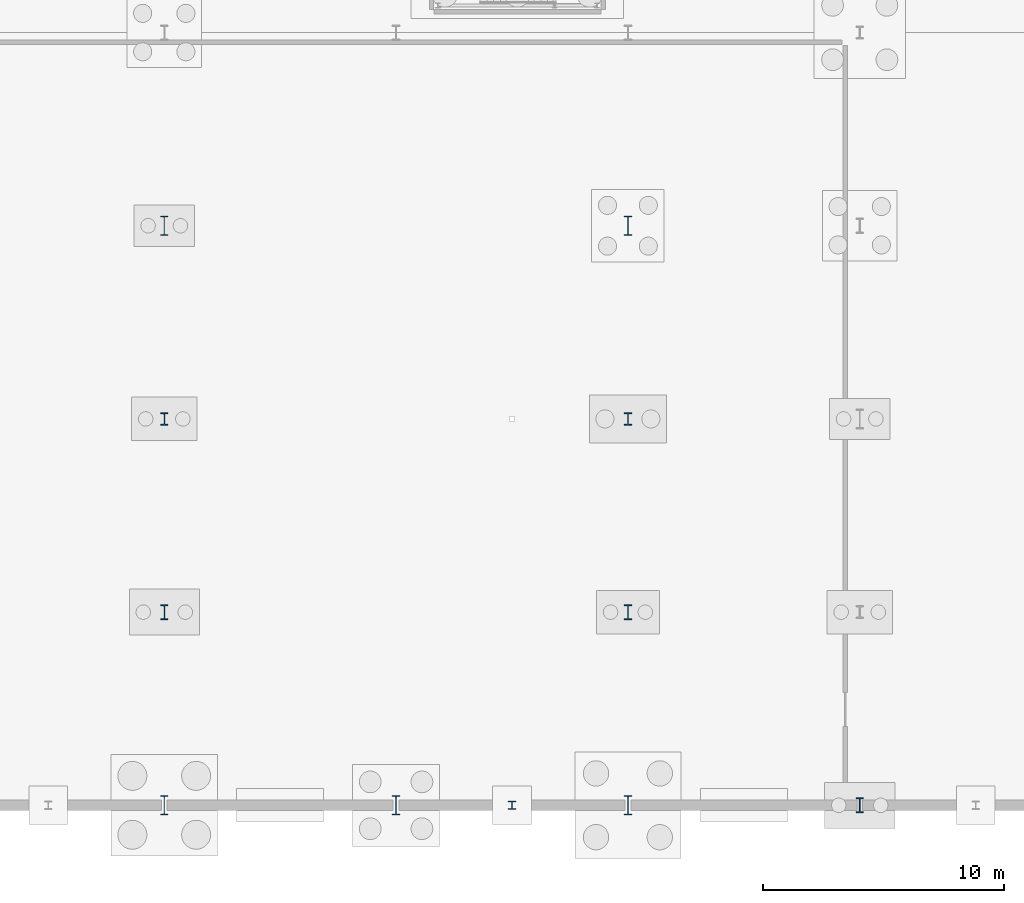
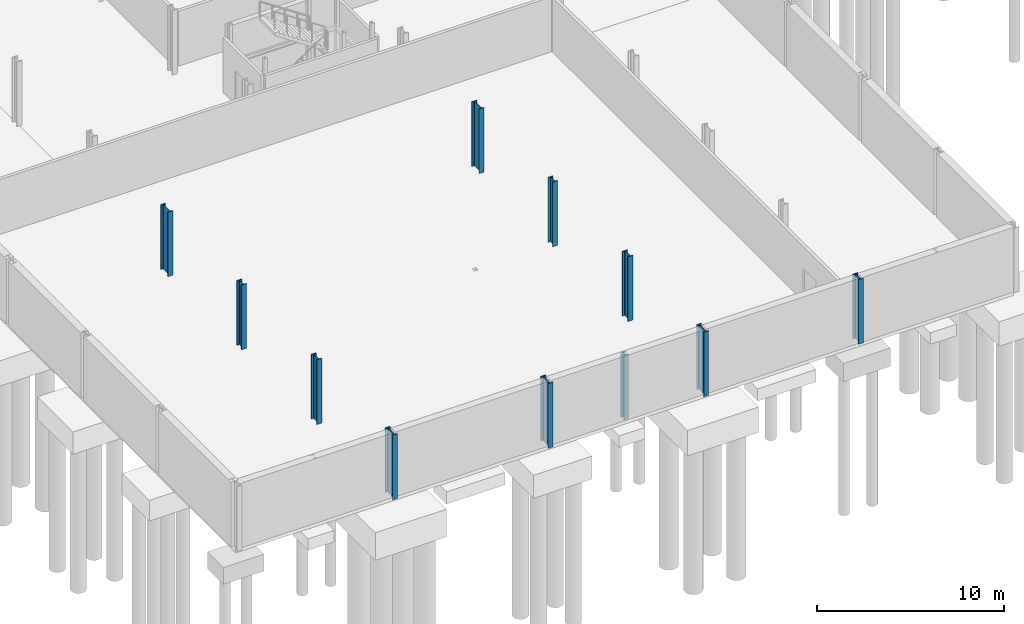
# One storey, part 11 of 47: 11 columns.
"""IFC4 building model written with IfcOpenShell, lengths in metres."""

from ifc_helpers import new_model, si_unit, direction, frame, origin, origin_2d, place, context, subcontext, project, spatial, i_section, extrude, material, material_profile, profile_set, type_object, element, save


model = new_model("IFC4")

# Units and contexts
model_context = context("Model", 3, precision=1e-05, world=origin(), true_north=direction((0.0, 1.0)))
body_context = subcontext(model_context, "Body", "Model", "MODEL_VIEW")
ifc_project = project(units=[si_unit("LENGTHUNIT", "METRE"), si_unit("AREAUNIT", "SQUARE_METRE"), si_unit("VOLUMEUNIT", "CUBIC_METRE"), si_unit("PLANEANGLEUNIT", "RADIAN"), si_unit("MASSUNIT", "GRAM", prefix="KILO")], contexts=[model_context])

# Site, building, storey
site_placement = place(None, origin())
site = spatial("IfcSite", under=ifc_project, at=site_placement, CompositionType="ELEMENT")
building_placement = place(site_placement, origin())
building = spatial("IfcBuilding", under=site, at=building_placement, Name="Alderhovde Museum", CompositionType="ELEMENT")
storey_placement = place(building_placement, frame((0.0, 0.0, -4.5)))
storey = spatial("IfcBuildingStorey", under=building, at=storey_placement, Name="B1", CompositionType="ELEMENT", Elevation=-4.5)

# Columns
ifc_material_1 = material(Name="Steel S355J2", Category="steel")
ifc_material_profile_1 = material_profile(ifc_material_1, i_section(OverallWidth=0.300048828125, OverallDepth=0.800048828125, WebThickness=0.017578125, FlangeThickness=0.032958984375, FilletRadius=0.030029296875, at=origin_2d()), Name="HEB 800")
ifc_profile_set_1 = profile_set([ifc_material_profile_1], Name="Steel S355J2")
column_type_1 = type_object("IfcColumnType", Name="COL-HEB800", PredefinedType="COLUMN", material=ifc_profile_set_1)
for number, where, z_axis, x_axis, name in (
    (1, (76.800048828125, 0.0, 0.0), (0.0, 0.0, 1.0), (1.0, 0.0, 0.0), "B1 Column (76.8, 0.0)"),
    (2, (76.800048828125, 24.0, 0.0), (0.0, 0.0, 1.0), (1.0, 0.0, 0.0), "B1 Column (76.8, 24.0)"),
    (3, (86.39990234375, 0.0, 0.0), (0.0, 0.0, 1.0), (1.0, 0.0, 0.0), "B1 Column (86.4, 0.0)"),
    (4, (96.0, 0.0, 0.0), (0.0, 0.0, 1.0), (1.0, 0.0, 0.0), "B1 Column (96.0, 0.0)"),
    (5, (96.0, 24.0, 0.0), (0.0, 0.0, 1.0), (1.0, 0.0, 0.0), "B1 Column (96.0, 24.0)"),
):
    element("IfcColumn", number, at=place(storey_placement, frame(where, z_axis=z_axis, x_axis=x_axis)), inside=storey, type_object=column_type_1, Name=name, PredefinedType="COLUMN", context=body_context, shape_type="SweptSolid", body=[
        extrude(i_section(OverallWidth=0.300048828125, OverallDepth=0.800048828125, WebThickness=0.017578125, FlangeThickness=0.032958984375, FilletRadius=0.030029296875, at=origin_2d()), origin(), (0.0, 0.0, 1.0), 4.219970703125),
    ])
ifc_material_2 = material(Name="Steel S355J2", Category="steel")
ifc_material_profile_2 = material_profile(ifc_material_2, i_section(OverallWidth=0.305908203125, OverallDepth=0.52392578125, WebThickness=0.02099609375, FlangeThickness=0.0400390625, FilletRadius=0.027099609375, at=origin_2d()), Name="HEM 500")
ifc_profile_set_2 = profile_set([ifc_material_profile_2], Name="Steel S355J2")
column_type_2 = type_object("IfcColumnType", Name="COL-HEM500", PredefinedType="COLUMN", material=ifc_profile_set_2)
for number, where, z_axis, x_axis, name in (
    (6, (76.800048828125, 16.0, 0.0), (0.0, 0.0, 1.0), (1.0, 0.0, 0.0), "B1 Column (76.8, 16.0)"),
    (7, (96.0, 16.0, 0.0), (0.0, 0.0, 1.0), (1.0, 0.0, 0.0), "B1 Column (96.0, 16.0)"),
):
    element("IfcColumn", number, at=place(storey_placement, frame(where, z_axis=z_axis, x_axis=x_axis)), inside=storey, type_object=column_type_2, Name=name, PredefinedType="COLUMN", context=body_context, shape_type="SweptSolid", body=[
        extrude(i_section(OverallWidth=0.305908203125, OverallDepth=0.52392578125, WebThickness=0.02099609375, FlangeThickness=0.0400390625, FilletRadius=0.027099609375, at=origin_2d()), origin(), (0.0, 0.0, 1.0), 4.219970703125),
    ])
ifc_material_3 = material(Name="Steel S355J2", Category="steel")
ifc_material_profile_3 = material_profile(ifc_material_3, i_section(OverallWidth=0.304931640625, OverallDepth=0.6201171875, WebThickness=0.02099609375, FlangeThickness=0.0400390625, FilletRadius=0.027099609375, at=origin_2d()), Name="HEM 600")
ifc_profile_set_3 = profile_set([ifc_material_profile_3], Name="Steel S355J2")
column_type_3 = type_object("IfcColumnType", Name="COL-HEM600", PredefinedType="COLUMN", material=ifc_profile_set_3)
for number, where, z_axis, x_axis, name in (
    (8, (76.800048828125, 8.0, 0.0), (0.0, 0.0, 1.0), (1.0, 0.0, 0.0), "B1 Column (76.8, 8.0)"),
    (9, (96.0, 8.0, 0.0), (0.0, 0.0, 1.0), (1.0, 0.0, 0.0), "B1 Column (96.0, 8.0)"),
    (10, (105.60009765625, 0.0, 0.0), (0.0, 0.0, 1.0), (1.0, 0.0, 0.0), "B1 Column (105.6, 0.0)"),
):
    element("IfcColumn", number, at=place(storey_placement, frame(where, z_axis=z_axis, x_axis=x_axis)), inside=storey, type_object=column_type_3, Name=name, PredefinedType="COLUMN", context=body_context, shape_type="SweptSolid", body=[
        extrude(i_section(OverallWidth=0.304931640625, OverallDepth=0.6201171875, WebThickness=0.02099609375, FlangeThickness=0.0400390625, FilletRadius=0.027099609375, at=origin_2d()), origin(), (0.0, 0.0, 1.0), 4.219970703125),
    ])
ifc_material_4 = material(Name="Steel S355J2", Category="steel")
ifc_material_profile_4 = material_profile(ifc_material_4, i_section(OverallWidth=0.300048828125, OverallDepth=0.330078125, WebThickness=0.009521484375, FlangeThickness=0.0166015625, FilletRadius=0.027099609375, at=origin_2d()), Name="HEA 340")
ifc_profile_set_4 = profile_set([ifc_material_profile_4], Name="Steel S355J2")
column_type_4 = type_object("IfcColumnType", Name="PIL-HEA340", PredefinedType="PILASTER", material=ifc_profile_set_4)
column_placement = place(storey_placement, frame((91.199951171875, 0.0, 0.0), z_axis=(0.0, 0.0, 1.0), x_axis=(1.0, 0.0, 0.0)))
element("IfcColumn", 11, at=column_placement, inside=storey, type_object=column_type_4, Name="B1 Structural Pilaster (91.2, 0.0)", PredefinedType="PILASTER", context=body_context, shape_type="SweptSolid", body=[
    extrude(i_section(OverallWidth=0.300048828125, OverallDepth=0.330078125, WebThickness=0.009521484375, FlangeThickness=0.0166015625, FilletRadius=0.027099609375, at=origin_2d()), origin(), (0.0, 0.0, 1.0), 4.219970703125),
])

save(model, "model.ifc")
